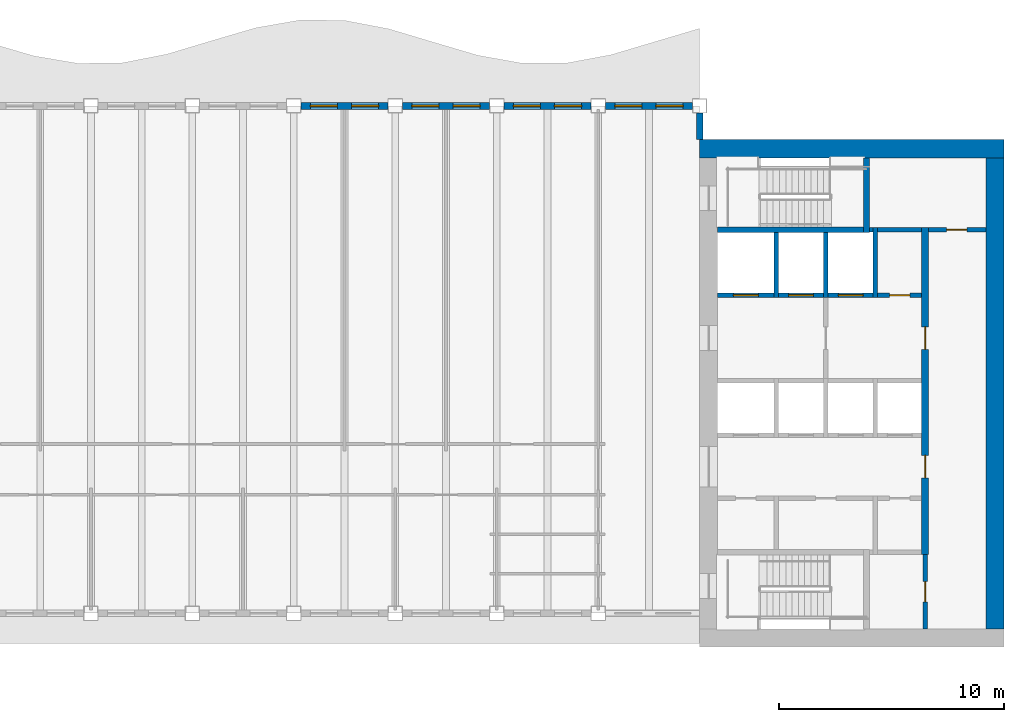
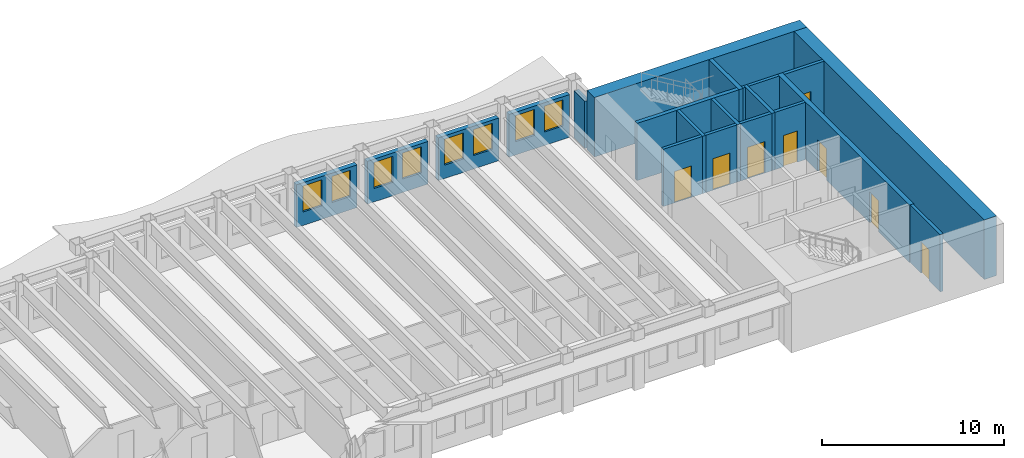
# One storey, part 6 of 12: 21 walls, 8 doors, 8 windows, 16 openings.
"""IFC4 building model written with IfcOpenShell, lengths in metres."""

import ifcopenshell
import ifcopenshell.guid

model = None  # the IFC model being written
_history = None  # IfcOwnerHistory: only IFC2X3 demands one
_inside = {}  # id of a spatial element -> (the spatial element, [elements in it])
_under = {}  # id of a project, library or spatial element -> (it, [spatial elements below it])
_declared = {}  # id of a project -> (the project, [libraries it declares])
_typed = {}  # id of a type object -> (the type object, [elements of that type])
_made_of = {}  # id of a material, layer set ... -> (it, [elements and type objects made of it])


def new_model(schema):
    """Start an empty IFC model of exactly this schema.

    Asked for "IFC4X3", IfcOpenShell would pick the latest addendum, in which some entities
    have other attributes; the version numbers below select the first issue.
    IFC2X3 requires an IfcOwnerHistory on every rooted entity: one is made here for all.
    """
    global model, _history
    if schema == "IFC4X3":
        model = ifcopenshell.file(schema_version=(4, 3, 0, 0))
    else:
        model = ifcopenshell.file(schema=schema)
    _inside.clear()
    _under.clear()
    _declared.clear()
    _typed.clear()
    _made_of.clear()
    _history = None
    if model.schema == "IFC2X3":
        org = make("IfcOrganization", Name="unknown")
        user = make(
            "IfcPersonAndOrganization",
            ThePerson=make("IfcPerson", FamilyName="unknown"),
            TheOrganization=org,
        )
        app = make(
            "IfcApplication",
            ApplicationDeveloper=org,
            Version="unknown",
            ApplicationFullName="unknown",
            ApplicationIdentifier="unknown",
        )
        _history = make(
            "IfcOwnerHistory",
            OwningUser=user,
            OwningApplication=app,
            ChangeAction="ADDED",
            CreationDate=0,
        )
    return model


def make(cls, **values):
    """One entity of the class cls with the attributes given. An attribute that is None is left unset."""
    return model.create_entity(
        cls, **{name: value for name, value in values.items() if value is not None}
    )


def rooted(cls, **values):
    """An entity with a GlobalId (a new one), such as an element, a storey or a relation."""
    return make(cls, GlobalId=ifcopenshell.guid.new(), OwnerHistory=_history, **values)


def si_unit(unit_type, name, prefix=None):
    """IfcSIUnit, for example si_unit("LENGTHUNIT", "METRE", prefix="MILLI")."""
    return make("IfcSIUnit", UnitType=unit_type, Prefix=prefix, Name=name)


def assignment(units):
    """IfcUnitAssignment: the units of a project."""
    return None if units is None else make("IfcUnitAssignment", Units=units)


def point(xyz):
    """IfcCartesianPoint."""
    return None if xyz is None else make("IfcCartesianPoint", Coordinates=xyz)


def direction(xyz):
    """IfcDirection."""
    return None if xyz is None else make("IfcDirection", DirectionRatios=xyz)


def frame(location, z_axis=None, x_axis=None):
    """IfcAxis2Placement3D, a coordinate frame: its origin and axes. An axis left out is left unset."""
    return make(
        "IfcAxis2Placement3D",
        Location=point(location),
        Axis=direction(z_axis),
        RefDirection=direction(x_axis),
    )


def frame_2d(location, x_axis=None):
    """IfcAxis2Placement2D, a coordinate frame in the plane: its origin and x axis."""
    return make(
        "IfcAxis2Placement2D", Location=point(location), RefDirection=direction(x_axis)
    )


def origin():
    """The frame at (0, 0, 0) with its axes left unset."""
    return frame((0.0, 0.0, 0.0))


def place(relative_to, where):
    """IfcLocalPlacement: puts the frame where relative to a parent placement (None: the world)."""
    return make(
        "IfcLocalPlacement", PlacementRelTo=relative_to, RelativePlacement=where
    )


def context(
    kind, dimensions, precision=None, world=None, true_north=None, identifier=None
):
    """IfcGeometricRepresentationContext, for example the 3D "Model" context."""
    return make(
        "IfcGeometricRepresentationContext",
        ContextIdentifier=identifier,
        ContextType=kind,
        CoordinateSpaceDimension=dimensions,
        Precision=precision,
        WorldCoordinateSystem=world,
        TrueNorth=true_north,
    )


def subcontext(parent, identifier, kind, view, scale=None):
    """IfcGeometricRepresentationSubContext, for example "Body" below "Model"."""
    return make(
        "IfcGeometricRepresentationSubContext",
        ContextIdentifier=identifier,
        ContextType=kind,
        ParentContext=parent,
        TargetScale=scale,
        TargetView=view,
    )


def project(units=None, contexts=None):
    """IfcProject with its units and contexts."""
    return rooted(
        "IfcProject",
        Name="project",
        RepresentationContexts=contexts,
        UnitsInContext=assignment(units),
    )


def spatial(cls, under=None, at=None, **own):
    """A site, building, storey or space (cls), placed at a placement, below another one or the project."""
    s = rooted(cls, ObjectPlacement=at, **own)
    if under is not None:
        _under.setdefault(under.id(), (under, []))[1].append(s)
    return s


def profile(cls, at=None, kind="AREA", **sizes):
    """A parametric profile (cls). Its sizes go by their IFC names, for example OverallWidth=200.0."""
    return make(cls, ProfileType=kind, Position=at, **sizes)


def rectangle(**sizes):
    """IfcRectangleProfileDef."""
    return profile("IfcRectangleProfileDef", **sizes)


def extrude(swept, where, along, depth):
    """IfcExtrudedAreaSolid: the profile swept, set in the frame where, extruded along a direction by depth."""
    return make(
        "IfcExtrudedAreaSolid",
        SweptArea=swept,
        Position=where,
        ExtrudedDirection=direction(along),
        Depth=depth,
    )


def shape(context_of_items, identifier, shape_type, items):
    """IfcShapeRepresentation: the items that make up one representation, for example the "Body"."""
    return make(
        "IfcShapeRepresentation",
        ContextOfItems=context_of_items,
        RepresentationIdentifier=identifier,
        RepresentationType=shape_type,
        Items=items,
    )


def material(Name=None, Category=None):
    """IfcMaterial."""
    return make("IfcMaterial", Name=Name, Category=Category)


def layer(
    of_material, thickness, ventilated=None, Name=None, Category=None, Priority=None
):
    """IfcMaterialLayer: one layer of a wall or slab, of a material (None: an air gap)."""
    return make(
        "IfcMaterialLayer",
        Material=of_material,
        LayerThickness=thickness,
        IsVentilated=ventilated,
        Name=Name,
        Category=Category,
        Priority=Priority,
    )


def layer_set(layers, Name=None):
    """IfcMaterialLayerSet."""
    return make("IfcMaterialLayerSet", MaterialLayers=layers, LayerSetName=Name)


def made_of(thing, what):
    """Note that an element or type object is made of a material, layer set ...; save() writes the relation."""
    if what is not None:
        _made_of.setdefault(what.id(), (what, []))[1].append(thing)
    return thing


def type_object(cls, material=None, **own):
    """A type object (cls), such as IfcWallType, which elements share."""
    return made_of(rooted(cls, **own), material)


def element(
    cls,
    number,
    at=None,
    inside=None,
    cuts=None,
    type_object=None,
    material=None,
    context=None,
    identifier="Body",
    shape_type=None,
    held_by="IfcProductDefinitionShape",
    body=None,
    shapes=None,
    **own,
):
    """One element of the class cls, such as IfcWall. Its Tag is "e" and its number.

    at: its placement. inside: the storey or other place that contains it. cuts: it is an
    opening in that element (IfcRelVoidsElement). A single representation is given by context,
    identifier, shape_type and body (its items); several are given by shapes. held_by: the class
    of the entity that holds the representations. save() writes the other relations.
    """
    e = rooted(cls, Tag="e%d" % number, ObjectPlacement=at, **own)
    if body is not None:
        shapes = [shape(context, identifier, shape_type, body)]
    if shapes is not None:
        e.Representation = make(held_by, Representations=shapes)
    if inside is not None:
        _inside.setdefault(inside.id(), (inside, []))[1].append(e)
    if cuts is not None:
        rooted(
            "IfcRelVoidsElement", RelatingBuildingElement=cuts, RelatedOpeningElement=e
        )
    if type_object is not None:
        _typed.setdefault(type_object.id(), (type_object, []))[1].append(e)
    return made_of(e, material)


def fill(opening, filler):
    """IfcRelFillsElement: the door or window that sits in an opening."""
    return rooted(
        "IfcRelFillsElement",
        RelatingOpeningElement=opening,
        RelatedBuildingElement=filler,
    )


def aggregate(whole, parts):
    """IfcRelAggregates: a whole, such as a stair, and the parts it consists of."""
    return rooted("IfcRelAggregates", RelatingObject=whole, RelatedObjects=parts)


def save(model, path):
    """Write the relations noted so far, then the file.

    IfcRelAggregates (storeys below a building ...), IfcRelContainedInSpatialStructure (elements
    in a storey), IfcRelDefinesByType, IfcRelAssociatesMaterial and IfcRelDeclares: one each for
    every whole, place, type object, material and project.
    """
    for whole, parts in _under.values():
        aggregate(whole, parts)
    for where, things in _inside.values():
        rooted(
            "IfcRelContainedInSpatialStructure",
            RelatedElements=things,
            RelatingStructure=where,
        )
    for kind, things in _typed.values():
        rooted("IfcRelDefinesByType", RelatedObjects=things, RelatingType=kind)
    for what, things in _made_of.values():
        rooted("IfcRelAssociatesMaterial", RelatedObjects=things, RelatingMaterial=what)
    for by, libraries in _declared.values():
        rooted("IfcRelDeclares", RelatingContext=by, RelatedDefinitions=libraries)
    model.write(path)


model = new_model("IFC4")

# Units and contexts
model_context = context("Model", 3, precision=1e-05, world=origin(), true_north=direction((0.0, 1.0)))
body_context = subcontext(model_context, "Body", "Model", "MODEL_VIEW")
ifc_project = project(units=[si_unit("LENGTHUNIT", "METRE"), si_unit("AREAUNIT", "SQUARE_METRE"), si_unit("VOLUMEUNIT", "CUBIC_METRE"), si_unit("PLANEANGLEUNIT", "RADIAN"), si_unit("MASSUNIT", "GRAM", prefix="KILO")], contexts=[model_context])

# Site, building, storey
site_placement = place(None, origin())
site = spatial("IfcSite", under=ifc_project, at=site_placement, CompositionType="ELEMENT")
building_placement = place(site_placement, origin())
building = spatial("IfcBuilding", under=site, at=building_placement, Name="Sennacour Bend Tower", CompositionType="ELEMENT")
storey_placement = place(building_placement, frame((0.0, 0.0, 269.0)))
storey = spatial("IfcBuildingStorey", under=building, at=storey_placement, Name="L62", CompositionType="ELEMENT", Elevation=269.0)

# Walls
ifc_material_1 = material(Name="Concrete C50/60", Category="concrete")
ifc_layer_1 = layer(ifc_material_1, 0.800048828125, Name="Concrete C50/60", Category="concrete")
ifc_layer_set_1 = layer_set([ifc_layer_1], Name="Concrete C50/60")
wall_type_1 = type_object("IfcWallType", Name="Core wall 800 C50/60", PredefinedType="SHEAR", material=ifc_layer_set_1)
wall_1_placement = place(storey_placement, frame((54.0, 22.10009765625, -0.14990234375), z_axis=(0.0, 0.0, 1.0), x_axis=(1.0, 0.0, 0.0)))
element("IfcWall", 1, at=wall_1_placement, inside=storey, type_object=wall_type_1, Name="Core A wall L62 N", PredefinedType="SHEAR", context=body_context, shape_type="SweptSolid", body=[
    extrude(rectangle(XDim=13.5, YDim=0.800048828125, at=frame_2d((6.75, 0.0))), origin(), (0.0, 0.0, 1.0), 4.0),
])
wall_2_placement = place(storey_placement, frame((67.10009765625, 0.800048828125, -0.14990234375), z_axis=(0.0, 0.0, 1.0), x_axis=(0.0, 1.0, 0.0)))
element("IfcWall", 2, at=wall_2_placement, inside=storey, type_object=wall_type_1, Name="Core A wall L62 E", PredefinedType="SHEAR", context=body_context, shape_type="SweptSolid", body=[
    extrude(rectangle(XDim=20.89990234375, YDim=0.800048828125, at=frame_2d((10.449951171875, 0.0))), origin(), (0.0, 0.0, 1.0), 4.0),
])

# Wall, opening, door
ifc_material_2 = material(Name="Fire-rated plasterboard partition on steel studs", Category="steel")
ifc_layer_2 = layer(ifc_material_2, 0.199951171875, Name="Fire-rated plasterboard partition on steel studs", Category="steel")
ifc_layer_set_2 = layer_set([ifc_layer_2], Name="Fire-rated plasterboard partition on steel studs")
wall_type_2 = type_object("IfcWallType", Name="Rated partition 200", PredefinedType="PARTITIONING", material=ifc_layer_set_2)
wall_3_placement = place(storey_placement, frame((64.0, 0.800048828125, 0.0), z_axis=(0.0, 0.0, 1.0), x_axis=(0.0, 1.0, 0.0)))
wall_3 = element("IfcWall", 3, at=wall_3_placement, inside=storey, type_object=wall_type_2, Name="P-L62-W031", PredefinedType="PARTITIONING", context=body_context, shape_type="SweptSolid", body=[
    extrude(rectangle(XDim=3.300048828125, YDim=0.199951171875, at=frame_2d((1.64990234375, 0.0))), origin(), (0.0, 0.0, 1.0), 3.85009765625),
])
opening_1_placement = place(wall_3_placement, frame((1.199951171875, 0.0, 0.0)))
opening_1 = element("IfcOpeningElement", 4, at=opening_1_placement, cuts=wall_3, Name="Opening SV", PredefinedType="OPENING", context=body_context, shape_type="SweptSolid", body=[
    extrude(rectangle(XDim=0.89990234375, YDim=2.10009765625, at=frame_2d((0.449951171875, 1.050048828125))), frame((0.0, 0.10986328125, 0.0), z_axis=(0.0, -1.0, 0.0), x_axis=(1.0, 0.0, 0.0)), (0.0, 0.0, 1.0), 0.219970703125),
])
ifc_material_3 = material(Name="Painted steel", Category="steel")
door_type_1 = type_object("IfcDoorType", Name="DR-SERVICE-900", OperationType="NOTDEFINED", PredefinedType="DOOR", material=ifc_material_3)
door_1_placement = place(opening_1_placement, origin())
door_1 = element("IfcDoor", 5, at=door_1_placement, inside=storey, type_object=door_type_1, Name="Door", OperationType="SINGLE_SWING_LEFT", OverallHeight=2.10009765625, OverallWidth=0.89990234375, PredefinedType="DOOR", context=body_context, shape_type="SweptSolid", body=[
    extrude(rectangle(XDim=0.89990234375, YDim=2.10009765625, at=frame_2d((0.449951171875, 1.050048828125))), frame((0.0, 0.02490234375, 0.0), z_axis=(0.0, -1.0, 0.0), x_axis=(1.0, 0.0, 0.0)), (0.0, 0.0, 1.0), 0.050048828125),
])
fill(opening_1, door_1)

wall_4_placement = place(storey_placement, frame((61.89990234375, 15.60009765625, 0.0), z_axis=(0.0, 0.0, 1.0), x_axis=(1.0, 0.0, 0.0)))
wall_4 = element("IfcWall", 6, at=wall_4_placement, inside=storey, type_object=wall_type_2, Name="P-L62-W048", PredefinedType="PARTITIONING", context=body_context, shape_type="SweptSolid", body=[
    extrude(rectangle(XDim=1.9501953125, YDim=0.199951171875, at=frame_2d((0.97509765625, 0.0))), origin(), (0.0, 0.0, 1.0), 3.85009765625),
])
opening_2_placement = place(wall_4_placement, frame((0.525146484375, 0.0, 0.0)))
opening_2 = element("IfcOpeningElement", 7, at=opening_2_placement, cuts=wall_4, Name="Opening SV", PredefinedType="OPENING", context=body_context, shape_type="SweptSolid", body=[
    extrude(rectangle(XDim=0.89990234375, YDim=2.10009765625, at=frame_2d((0.449951171875, 1.050048828125))), frame((0.0, 0.10986328125, 0.0), z_axis=(0.0, -1.0, 0.0), x_axis=(1.0, 0.0, 0.0)), (0.0, 0.0, 1.0), 0.219970703125),
])
door_2_placement = place(opening_2_placement, origin())
door_2 = element("IfcDoor", 8, at=door_2_placement, inside=storey, type_object=door_type_1, Name="Door", OperationType="SINGLE_SWING_RIGHT", OverallHeight=2.10009765625, OverallWidth=0.89990234375, PredefinedType="DOOR", context=body_context, shape_type="SweptSolid", body=[
    extrude(rectangle(XDim=0.89990234375, YDim=2.10009765625, at=frame_2d((0.449951171875, 1.050048828125))), frame((0.0, 0.02490234375, 0.0), z_axis=(0.0, -1.0, 0.0), x_axis=(1.0, 0.0, 0.0)), (0.0, 0.0, 1.0), 0.050048828125),
])
fill(opening_2, door_2)

# Wall
wall_5_placement = place(storey_placement, frame((61.89990234375, 18.5, 0.0), z_axis=(0.0, 0.0, 1.0), x_axis=(1.0, 0.0, 0.0)))
element("IfcWall", 9, at=wall_5_placement, inside=storey, type_object=wall_type_2, Name="P-L62-W051a", PredefinedType="PARTITIONING", context=body_context, shape_type="SweptSolid", body=[
    extrude(rectangle(XDim=1.9501953125, YDim=0.199951171875, at=frame_2d((0.97509765625, 0.0))), origin(), (0.0, 0.0, 1.0), 3.85009765625),
])

# Wall, opening, door
wall_6_placement = place(storey_placement, frame((64.14990234375, 18.5, 0.0), z_axis=(0.0, 0.0, 1.0), x_axis=(1.0, 0.0, 0.0)))
wall_6 = element("IfcWall", 10, at=wall_6_placement, inside=storey, type_object=wall_type_2, Name="P-L62-W051b", PredefinedType="PARTITIONING", context=body_context, shape_type="SweptSolid", body=[
    extrude(rectangle(XDim=2.550048828125, YDim=0.199951171875, at=frame_2d((1.27490234375, 0.0))), origin(), (0.0, 0.0, 1.0), 3.85009765625),
])
opening_3_placement = place(wall_6_placement, frame((0.800048828125, 0.0, 0.0)))
opening_3 = element("IfcOpeningElement", 11, at=opening_3_placement, cuts=wall_6, Name="Opening SV", PredefinedType="OPENING", context=body_context, shape_type="SweptSolid", body=[
    extrude(rectangle(XDim=0.89990234375, YDim=2.10009765625, at=frame_2d((0.449951171875, 1.050048828125))), frame((0.0, 0.10986328125, 0.0), z_axis=(0.0, -1.0, 0.0), x_axis=(1.0, 0.0, 0.0)), (0.0, 0.0, 1.0), 0.219970703125),
])
door_3_placement = place(opening_3_placement, origin())
door_3 = element("IfcDoor", 12, at=door_3_placement, inside=storey, type_object=door_type_1, Name="Door", OperationType="SINGLE_SWING_LEFT", OverallHeight=2.10009765625, OverallWidth=0.89990234375, PredefinedType="DOOR", context=body_context, shape_type="SweptSolid", body=[
    extrude(rectangle(XDim=0.89990234375, YDim=2.10009765625, at=frame_2d((0.449951171875, 1.050048828125))), frame((0.0, 0.02490234375, 0.0), z_axis=(0.0, -1.0, 0.0), x_axis=(1.0, 0.0, 0.0)), (0.0, 0.0, 1.0), 0.050048828125),
])
fill(opening_3, door_3)

# Wall
ifc_material_4 = material(Name="Warm limestone cladding", Category="masonry")
ifc_layer_3 = layer(ifc_material_4, 0.050048828125, Name="Warm limestone cladding", Category="masonry")
ifc_material_5 = material(Name="Precast concrete C40/50", Category="concrete")
ifc_layer_4 = layer(ifc_material_5, 0.25, Name="Precast concrete C40/50", Category="concrete")
ifc_layer_set_3 = layer_set([ifc_layer_3, ifc_layer_4], Name="Precast concrete C40/50 with limestone cladding")
wall_type_3 = type_object("IfcWallType", Name="STONE-CLAD PRECAST SPANDREL 300", PredefinedType="STANDARD", material=ifc_layer_set_3)
wall_7_placement = place(storey_placement, frame((54.0, 22.5, 0.0), z_axis=(0.0, 0.0, 1.0), x_axis=(0.0, 1.0, 0.0)))
element("IfcWall", 13, at=wall_7_placement, inside=storey, type_object=wall_type_3, Name="Stone spandrel and pier wall L62 06.00", PredefinedType="STANDARD", context=body_context, shape_type="SweptSolid", body=[
    extrude(rectangle(XDim=1.175048828125, YDim=0.300048828125, at=frame_2d((0.58740234375, 0.0))), origin(), (0.0, 0.0, 1.0), 3.162109375),
])

# Wall, openings, windows
wall_8_placement = place(storey_placement, frame((53.675048828125, 24.0, 0.0), z_axis=(0.0, 0.0, 1.0), x_axis=(-1.0, 0.0, 0.0)))
wall_8 = element("IfcWall", 14, at=wall_8_placement, inside=storey, type_object=wall_type_3, Name="Stone spandrel and pier wall L62 07.00", PredefinedType="STANDARD", context=body_context, shape_type="SweptSolid", body=[
    extrude(rectangle(XDim=3.85009765625, YDim=0.300048828125, at=frame_2d((1.925048828125, 0.0))), origin(), (0.0, 0.0, 1.0), 2.8701171875),
])
opening_4_placement = place(wall_8_placement, frame((0.41259765625, 0.0, 0.89990234375)))
opening_4 = element("IfcOpeningElement", 15, at=opening_4_placement, cuts=wall_8, Name="Opening W16", PredefinedType="OPENING", context=body_context, shape_type="SweptSolid", body=[
    extrude(rectangle(XDim=1.199951171875, YDim=1.75, at=frame_2d((0.60009765625, 0.875))), frame((0.0, 0.16015625, 0.0), z_axis=(0.0, -1.0, 0.0), x_axis=(1.0, 0.0, 0.0)), (0.0, 0.0, 1.0), 0.320068359375),
])
opening_5_placement = place(wall_8_placement, frame((2.237548828125, 0.0, 0.89990234375)))
opening_5 = element("IfcOpeningElement", 16, at=opening_5_placement, cuts=wall_8, Name="Opening W16", PredefinedType="OPENING", context=body_context, shape_type="SweptSolid", body=[
    extrude(rectangle(XDim=1.199951171875, YDim=1.75, at=frame_2d((0.60009765625, 0.875))), frame((0.0, 0.16015625, 0.0), z_axis=(0.0, -1.0, 0.0), x_axis=(1.0, 0.0, 0.0)), (0.0, 0.0, 1.0), 0.320068359375),
])
ifc_material_6 = material(Name="Clear low-emissivity glass", Category="glass")
window_type = type_object("IfcWindowType", Name="WIN-RIBBON-1200x1750", PartitioningType="SINGLE_PANEL", PredefinedType="WINDOW", material=ifc_material_6)
window_1_placement = place(opening_4_placement, origin())
window_1 = element("IfcWindow", 17, at=window_1_placement, inside=storey, type_object=window_type, Name="Ribbon window L62 07.00.0", OverallHeight=1.75, OverallWidth=1.199951171875, PartitioningType="SINGLE_PANEL", PredefinedType="WINDOW", context=body_context, shape_type="SweptSolid", body=[
    extrude(rectangle(XDim=1.199951171875, YDim=1.75, at=frame_2d((0.60009765625, 0.875))), frame((0.0, 0.030029296875, 0.0), z_axis=(0.0, -1.0, 0.0), x_axis=(1.0, 0.0, 0.0)), (0.0, 0.0, 1.0), 0.06005859375),
])
fill(opening_4, window_1)
window_2_placement = place(opening_5_placement, origin())
window_2 = element("IfcWindow", 18, at=window_2_placement, inside=storey, type_object=window_type, Name="Ribbon window L62 07.00.1", OverallHeight=1.75, OverallWidth=1.199951171875, PartitioningType="SINGLE_PANEL", PredefinedType="WINDOW", context=body_context, shape_type="SweptSolid", body=[
    extrude(rectangle(XDim=1.199951171875, YDim=1.75, at=frame_2d((0.60009765625, 0.875))), frame((0.0, 0.030029296875, 0.0), z_axis=(0.0, -1.0, 0.0), x_axis=(1.0, 0.0, 0.0)), (0.0, 0.0, 1.0), 0.06005859375),
])
fill(opening_5, window_2)

wall_9_placement = place(storey_placement, frame((49.175048828125, 24.0, 0.0), z_axis=(0.0, 0.0, 1.0), x_axis=(-1.0, 0.0, 0.0)))
wall_9 = element("IfcWall", 19, at=wall_9_placement, inside=storey, type_object=wall_type_3, Name="Stone spandrel and pier wall L62 07.01", PredefinedType="STANDARD", context=body_context, shape_type="SweptSolid", body=[
    extrude(rectangle(XDim=3.85009765625, YDim=0.300048828125, at=frame_2d((1.925048828125, 0.0))), origin(), (0.0, 0.0, 1.0), 2.8701171875),
])
opening_6_placement = place(wall_9_placement, frame((0.41259765625, 0.0, 0.89990234375)))
opening_6 = element("IfcOpeningElement", 20, at=opening_6_placement, cuts=wall_9, Name="Opening W16", PredefinedType="OPENING", context=body_context, shape_type="SweptSolid", body=[
    extrude(rectangle(XDim=1.199951171875, YDim=1.75, at=frame_2d((0.60009765625, 0.875))), frame((0.0, 0.16015625, 0.0), z_axis=(0.0, -1.0, 0.0), x_axis=(1.0, 0.0, 0.0)), (0.0, 0.0, 1.0), 0.320068359375),
])
opening_7_placement = place(wall_9_placement, frame((2.237548828125, 0.0, 0.89990234375)))
opening_7 = element("IfcOpeningElement", 21, at=opening_7_placement, cuts=wall_9, Name="Opening W16", PredefinedType="OPENING", context=body_context, shape_type="SweptSolid", body=[
    extrude(rectangle(XDim=1.199951171875, YDim=1.75, at=frame_2d((0.60009765625, 0.875))), frame((0.0, 0.16015625, 0.0), z_axis=(0.0, -1.0, 0.0), x_axis=(1.0, 0.0, 0.0)), (0.0, 0.0, 1.0), 0.320068359375),
])
window_3_placement = place(opening_6_placement, origin())
window_3 = element("IfcWindow", 22, at=window_3_placement, inside=storey, type_object=window_type, Name="Ribbon window L62 07.01.0", OverallHeight=1.75, OverallWidth=1.199951171875, PartitioningType="SINGLE_PANEL", PredefinedType="WINDOW", context=body_context, shape_type="SweptSolid", body=[
    extrude(rectangle(XDim=1.199951171875, YDim=1.75, at=frame_2d((0.60009765625, 0.875))), frame((0.0, 0.030029296875, 0.0), z_axis=(0.0, -1.0, 0.0), x_axis=(1.0, 0.0, 0.0)), (0.0, 0.0, 1.0), 0.06005859375),
])
fill(opening_6, window_3)
window_4_placement = place(opening_7_placement, origin())
window_4 = element("IfcWindow", 23, at=window_4_placement, inside=storey, type_object=window_type, Name="Ribbon window L62 07.01.1", OverallHeight=1.75, OverallWidth=1.199951171875, PartitioningType="SINGLE_PANEL", PredefinedType="WINDOW", context=body_context, shape_type="SweptSolid", body=[
    extrude(rectangle(XDim=1.199951171875, YDim=1.75, at=frame_2d((0.60009765625, 0.875))), frame((0.0, 0.030029296875, 0.0), z_axis=(0.0, -1.0, 0.0), x_axis=(1.0, 0.0, 0.0)), (0.0, 0.0, 1.0), 0.06005859375),
])
fill(opening_7, window_4)

wall_10_placement = place(storey_placement, frame((44.675048828125, 24.0, 0.0), z_axis=(0.0, 0.0, 1.0), x_axis=(-1.0, 0.0, 0.0)))
wall_10 = element("IfcWall", 24, at=wall_10_placement, inside=storey, type_object=wall_type_3, Name="Stone spandrel and pier wall L62 07.02", PredefinedType="STANDARD", context=body_context, shape_type="SweptSolid", body=[
    extrude(rectangle(XDim=3.85009765625, YDim=0.300048828125, at=frame_2d((1.925048828125, 0.0))), origin(), (0.0, 0.0, 1.0), 2.8701171875),
])
opening_8_placement = place(wall_10_placement, frame((0.41259765625, 0.0, 0.89990234375)))
opening_8 = element("IfcOpeningElement", 25, at=opening_8_placement, cuts=wall_10, Name="Opening W16", PredefinedType="OPENING", context=body_context, shape_type="SweptSolid", body=[
    extrude(rectangle(XDim=1.199951171875, YDim=1.75, at=frame_2d((0.60009765625, 0.875))), frame((0.0, 0.16015625, 0.0), z_axis=(0.0, -1.0, 0.0), x_axis=(1.0, 0.0, 0.0)), (0.0, 0.0, 1.0), 0.320068359375),
])
opening_9_placement = place(wall_10_placement, frame((2.237548828125, 0.0, 0.89990234375)))
opening_9 = element("IfcOpeningElement", 26, at=opening_9_placement, cuts=wall_10, Name="Opening W16", PredefinedType="OPENING", context=body_context, shape_type="SweptSolid", body=[
    extrude(rectangle(XDim=1.199951171875, YDim=1.75, at=frame_2d((0.60009765625, 0.875))), frame((0.0, 0.16015625, 0.0), z_axis=(0.0, -1.0, 0.0), x_axis=(1.0, 0.0, 0.0)), (0.0, 0.0, 1.0), 0.320068359375),
])
window_5_placement = place(opening_8_placement, origin())
window_5 = element("IfcWindow", 27, at=window_5_placement, inside=storey, type_object=window_type, Name="Ribbon window L62 07.02.0", OverallHeight=1.75, OverallWidth=1.199951171875, PartitioningType="SINGLE_PANEL", PredefinedType="WINDOW", context=body_context, shape_type="SweptSolid", body=[
    extrude(rectangle(XDim=1.199951171875, YDim=1.75, at=frame_2d((0.60009765625, 0.875))), frame((0.0, 0.030029296875, 0.0), z_axis=(0.0, -1.0, 0.0), x_axis=(1.0, 0.0, 0.0)), (0.0, 0.0, 1.0), 0.06005859375),
])
fill(opening_8, window_5)
window_6_placement = place(opening_9_placement, origin())
window_6 = element("IfcWindow", 28, at=window_6_placement, inside=storey, type_object=window_type, Name="Ribbon window L62 07.02.1", OverallHeight=1.75, OverallWidth=1.199951171875, PartitioningType="SINGLE_PANEL", PredefinedType="WINDOW", context=body_context, shape_type="SweptSolid", body=[
    extrude(rectangle(XDim=1.199951171875, YDim=1.75, at=frame_2d((0.60009765625, 0.875))), frame((0.0, 0.030029296875, 0.0), z_axis=(0.0, -1.0, 0.0), x_axis=(1.0, 0.0, 0.0)), (0.0, 0.0, 1.0), 0.06005859375),
])
fill(opening_9, window_6)

wall_11_placement = place(storey_placement, frame((40.175048828125, 24.0, 0.0), z_axis=(0.0, 0.0, 1.0), x_axis=(-1.0, 0.0, 0.0)))
wall_11 = element("IfcWall", 29, at=wall_11_placement, inside=storey, type_object=wall_type_3, Name="Stone spandrel and pier wall L62 07.03", PredefinedType="STANDARD", context=body_context, shape_type="SweptSolid", body=[
    extrude(rectangle(XDim=3.85009765625, YDim=0.300048828125, at=frame_2d((1.925048828125, 0.0))), origin(), (0.0, 0.0, 1.0), 2.8701171875),
])
opening_10_placement = place(wall_11_placement, frame((0.41259765625, 0.0, 0.89990234375)))
opening_10 = element("IfcOpeningElement", 30, at=opening_10_placement, cuts=wall_11, Name="Opening W16", PredefinedType="OPENING", context=body_context, shape_type="SweptSolid", body=[
    extrude(rectangle(XDim=1.199951171875, YDim=1.75, at=frame_2d((0.60009765625, 0.875))), frame((0.0, 0.16015625, 0.0), z_axis=(0.0, -1.0, 0.0), x_axis=(1.0, 0.0, 0.0)), (0.0, 0.0, 1.0), 0.320068359375),
])
opening_11_placement = place(wall_11_placement, frame((2.237548828125, 0.0, 0.89990234375)))
opening_11 = element("IfcOpeningElement", 31, at=opening_11_placement, cuts=wall_11, Name="Opening W16", PredefinedType="OPENING", context=body_context, shape_type="SweptSolid", body=[
    extrude(rectangle(XDim=1.199951171875, YDim=1.75, at=frame_2d((0.60009765625, 0.875))), frame((0.0, 0.16015625, 0.0), z_axis=(0.0, -1.0, 0.0), x_axis=(1.0, 0.0, 0.0)), (0.0, 0.0, 1.0), 0.320068359375),
])
window_7_placement = place(opening_10_placement, origin())
window_7 = element("IfcWindow", 32, at=window_7_placement, inside=storey, type_object=window_type, Name="Ribbon window L62 07.03.0", OverallHeight=1.75, OverallWidth=1.199951171875, PartitioningType="SINGLE_PANEL", PredefinedType="WINDOW", context=body_context, shape_type="SweptSolid", body=[
    extrude(rectangle(XDim=1.199951171875, YDim=1.75, at=frame_2d((0.60009765625, 0.875))), frame((0.0, 0.030029296875, 0.0), z_axis=(0.0, -1.0, 0.0), x_axis=(1.0, 0.0, 0.0)), (0.0, 0.0, 1.0), 0.06005859375),
])
fill(opening_10, window_7)
window_8_placement = place(opening_11_placement, origin())
window_8 = element("IfcWindow", 33, at=window_8_placement, inside=storey, type_object=window_type, Name="Ribbon window L62 07.03.1", OverallHeight=1.75, OverallWidth=1.199951171875, PartitioningType="SINGLE_PANEL", PredefinedType="WINDOW", context=body_context, shape_type="SweptSolid", body=[
    extrude(rectangle(XDim=1.199951171875, YDim=1.75, at=frame_2d((0.60009765625, 0.875))), frame((0.0, 0.030029296875, 0.0), z_axis=(0.0, -1.0, 0.0), x_axis=(1.0, 0.0, 0.0)), (0.0, 0.0, 1.0), 0.06005859375),
])
fill(opening_11, window_8)

# Walls
ifc_layer_5 = layer(ifc_material_1, 0.199951171875, Name="Concrete C50/60", Category="concrete")
ifc_layer_set_4 = layer_set([ifc_layer_5], Name="Concrete C50/60")
wall_type_4 = type_object("IfcWallType", Name="Shaft wall 200", PredefinedType="SOLIDWALL", material=ifc_layer_set_4)
for number, where, z_axis, x_axis, name in (
    (34, (57.39990234375, 15.5, 0.0), (0.0, 0.0, 1.0), (0.0, 1.0, 0.0), "P-L62-W022"),
    (35, (59.60009765625, 15.5, 0.0), (0.0, 0.0, 1.0), (0.0, 1.0, 0.0), "P-L62-W025"),
):
    element("IfcWall", number, at=place(storey_placement, frame(where, z_axis=z_axis, x_axis=x_axis)), inside=storey, type_object=wall_type_4, Name=name, PredefinedType="SOLIDWALL", context=body_context, shape_type="SweptSolid", body=[
        extrude(rectangle(XDim=2.875, YDim=0.199951171875, at=frame_2d((1.4375, 0.0))), origin(), (0.0, 0.0, 1.0), 3.85009765625),
    ])
wall_12_placement = place(storey_placement, frame((61.800048828125, 15.5, 0.0), z_axis=(0.0, 0.0, 1.0), x_axis=(0.0, 1.0, 0.0)))
element("IfcWall", 36, at=wall_12_placement, inside=storey, type_object=wall_type_4, Name="P-L62-W030", PredefinedType="SOLIDWALL", context=body_context, shape_type="SweptSolid", body=[
    extrude(rectangle(XDim=3.10009765625, YDim=0.199951171875, at=frame_2d((1.550048828125, 0.0))), origin(), (0.0, 0.0, 1.0), 3.85009765625),
])

# Wall, opening, door
wall_13_placement = place(storey_placement, frame((54.800048828125, 15.60009765625, 0.0), z_axis=(0.0, 0.0, 1.0), x_axis=(1.0, 0.0, 0.0)))
wall_13 = element("IfcWall", 37, at=wall_13_placement, inside=storey, type_object=wall_type_4, Name="P-L62-W047a", PredefinedType="SOLIDWALL", context=body_context, shape_type="SweptSolid", body=[
    extrude(rectangle(XDim=2.5, YDim=0.199951171875, at=frame_2d((1.25, 0.0))), origin(), (0.0, 0.0, 1.0), 3.85009765625),
])
opening_12_placement = place(wall_13_placement, frame((0.699951171875, 0.0, 0.011962890625)))
opening_12 = element("IfcOpeningElement", 38, at=opening_12_placement, cuts=wall_13, Name="Opening FLD", PredefinedType="OPENING", context=body_context, shape_type="SweptSolid", body=[
    extrude(rectangle(XDim=1.10009765625, YDim=2.10009765625, at=frame_2d((0.550048828125, 1.050048828125))), frame((0.0, 0.10986328125, 0.0), z_axis=(0.0, -1.0, 0.0), x_axis=(1.0, 0.0, 0.0)), (0.0, 0.0, 1.0), 0.219970703125),
])
ifc_material_7 = material(Name="Stainless steel", Category="steel")
door_type_2 = type_object("IfcDoorType", Name="DR-FF-LANDING-1100", OperationType="NOTDEFINED", PredefinedType="DOOR", material=ifc_material_7)
door_4_placement = place(opening_12_placement, origin())
door_4 = element("IfcDoor", 39, at=door_4_placement, inside=storey, type_object=door_type_2, Name="Fire service lift landing door FA1", OperationType="SLIDING_TO_LEFT", OverallHeight=2.10009765625, OverallWidth=1.10009765625, PredefinedType="DOOR", context=body_context, shape_type="SweptSolid", body=[
    extrude(rectangle(XDim=1.10009765625, YDim=2.10009765625, at=frame_2d((0.550048828125, 1.050048828125))), frame((0.0, 0.02490234375, 0.0), z_axis=(0.0, -1.0, 0.0), x_axis=(1.0, 0.0, 0.0)), (0.0, 0.0, 1.0), 0.050048828125),
])
fill(opening_12, door_4)

wall_14_placement = place(storey_placement, frame((57.5, 15.60009765625, 0.0), z_axis=(0.0, 0.0, 1.0), x_axis=(1.0, 0.0, 0.0)))
wall_14 = element("IfcWall", 40, at=wall_14_placement, inside=storey, type_object=wall_type_4, Name="P-L62-W047b", PredefinedType="SOLIDWALL", context=body_context, shape_type="SweptSolid", body=[
    extrude(rectangle(XDim=2.0, YDim=0.199951171875, at=frame_2d((1.0, 0.0))), origin(), (0.0, 0.0, 1.0), 3.85009765625),
])
opening_13_placement = place(wall_14_placement, frame((0.449951171875, 0.0, 0.011962890625)))
opening_13 = element("IfcOpeningElement", 41, at=opening_13_placement, cuts=wall_14, Name="Opening FLD", PredefinedType="OPENING", context=body_context, shape_type="SweptSolid", body=[
    extrude(rectangle(XDim=1.10009765625, YDim=2.10009765625, at=frame_2d((0.550048828125, 1.050048828125))), frame((0.0, 0.10986328125, 0.0), z_axis=(0.0, -1.0, 0.0), x_axis=(1.0, 0.0, 0.0)), (0.0, 0.0, 1.0), 0.219970703125),
])
door_5_placement = place(opening_13_placement, origin())
door_5 = element("IfcDoor", 42, at=door_5_placement, inside=storey, type_object=door_type_2, Name="Fire service lift landing door FA2", OperationType="SLIDING_TO_RIGHT", OverallHeight=2.10009765625, OverallWidth=1.10009765625, PredefinedType="DOOR", context=body_context, shape_type="SweptSolid", body=[
    extrude(rectangle(XDim=1.10009765625, YDim=2.10009765625, at=frame_2d((0.550048828125, 1.050048828125))), frame((0.0, 0.02490234375, 0.0), z_axis=(0.0, -1.0, 0.0), x_axis=(1.0, 0.0, 0.0)), (0.0, 0.0, 1.0), 0.050048828125),
])
fill(opening_13, door_5)

wall_15_placement = place(storey_placement, frame((59.699951171875, 15.60009765625, 0.0), z_axis=(0.0, 0.0, 1.0), x_axis=(1.0, 0.0, 0.0)))
wall_15 = element("IfcWall", 43, at=wall_15_placement, inside=storey, type_object=wall_type_4, Name="P-L62-W047c", PredefinedType="SOLIDWALL", context=body_context, shape_type="SweptSolid", body=[
    extrude(rectangle(XDim=2.0, YDim=0.199951171875, at=frame_2d((1.0, 0.0))), origin(), (0.0, 0.0, 1.0), 3.85009765625),
])
opening_14_placement = place(wall_15_placement, frame((0.449951171875, 0.0, 0.011962890625)))
opening_14 = element("IfcOpeningElement", 44, at=opening_14_placement, cuts=wall_15, Name="Opening LD", PredefinedType="OPENING", context=body_context, shape_type="SweptSolid", body=[
    extrude(rectangle(XDim=1.10009765625, YDim=2.10009765625, at=frame_2d((0.550048828125, 1.050048828125))), frame((0.0, 0.10986328125, 0.0), z_axis=(0.0, -1.0, 0.0), x_axis=(1.0, 0.0, 0.0)), (0.0, 0.0, 1.0), 0.219970703125),
])
door_type_3 = type_object("IfcDoorType", Name="DR-LANDING-1100", OperationType="NOTDEFINED", PredefinedType="DOOR", material=ifc_material_7)
door_6_placement = place(opening_14_placement, origin())
door_6 = element("IfcDoor", 45, at=door_6_placement, inside=storey, type_object=door_type_3, Name="Lift landing door HA5", OperationType="SLIDING_TO_LEFT", OverallHeight=2.10009765625, OverallWidth=1.10009765625, PredefinedType="DOOR", context=body_context, shape_type="SweptSolid", body=[
    extrude(rectangle(XDim=1.10009765625, YDim=2.10009765625, at=frame_2d((0.550048828125, 1.050048828125))), frame((0.0, 0.02490234375, 0.0), z_axis=(0.0, -1.0, 0.0), x_axis=(1.0, 0.0, 0.0)), (0.0, 0.0, 1.0), 0.050048828125),
])
fill(opening_14, door_6)

# Wall
wall_16_placement = place(storey_placement, frame((61.52490234375, 18.5, 0.0), z_axis=(0.0, 0.0, 1.0), x_axis=(1.0, 0.0, 0.0)))
element("IfcWall", 46, at=wall_16_placement, inside=storey, type_object=wall_type_4, Name="P-L62-W050", PredefinedType="SOLIDWALL", context=body_context, shape_type="SweptSolid", body=[
    extrude(rectangle(XDim=0.175048828125, YDim=0.199951171875, at=frame_2d((0.08740234375, 0.0))), origin(), (0.0, 0.0, 1.0), 3.85009765625),
])

# Wall, openings, doors
ifc_material_8 = material(Name="Concrete C60/75", Category="concrete")
ifc_layer_6 = layer(ifc_material_8, 0.300048828125, Name="Concrete C60/75", Category="concrete")
ifc_layer_set_5 = layer_set([ifc_layer_6], Name="Concrete C60/75")
wall_type_5 = type_object("IfcWallType", Name="Spine wall 300", PredefinedType="SHEAR", material=ifc_layer_set_5)
wall_17_placement = place(storey_placement, frame((64.0, 4.10009765625, 0.0), z_axis=(0.0, 0.0, 1.0), x_axis=(0.0, 1.0, 0.0)))
wall_17 = element("IfcWall", 47, at=wall_17_placement, inside=storey, type_object=wall_type_5, Name="P-L62-W032", PredefinedType="SHEAR", context=body_context, shape_type="SweptSolid", body=[
    extrude(rectangle(XDim=14.5, YDim=0.300048828125, at=frame_2d((7.25, 0.0))), origin(), (0.0, 0.0, 1.0), 3.85009765625),
])
opening_15_placement = place(wall_17_placement, frame((3.39990234375, 0.0, 0.0)))
opening_15 = element("IfcOpeningElement", 48, at=opening_15_placement, cuts=wall_17, Name="Opening CD2", PredefinedType="OPENING", context=body_context, shape_type="SweptSolid", body=[
    extrude(rectangle(XDim=1.0, YDim=2.10009765625, at=frame_2d((0.5, 1.050048828125))), frame((0.0, 0.16015625, 0.0), z_axis=(0.0, -1.0, 0.0), x_axis=(1.0, 0.0, 0.0)), (0.0, 0.0, 1.0), 0.320068359375),
])
opening_16_placement = place(wall_17_placement, frame((9.099853515625, 0.0, 0.0)))
opening_16 = element("IfcOpeningElement", 49, at=opening_16_placement, cuts=wall_17, Name="Opening CD2", PredefinedType="OPENING", context=body_context, shape_type="SweptSolid", body=[
    extrude(rectangle(XDim=1.0, YDim=2.10009765625, at=frame_2d((0.5, 1.050048828125))), frame((0.0, 0.16015625, 0.0), z_axis=(0.0, -1.0, 0.0), x_axis=(1.0, 0.0, 0.0)), (0.0, 0.0, 1.0), 0.320068359375),
])
door_type_4 = type_object("IfcDoorType", Name="DR-LOBBY-1000", OperationType="NOTDEFINED", PredefinedType="DOOR", material=ifc_material_3)
door_7_placement = place(opening_15_placement, origin())
door_7 = element("IfcDoor", 50, at=door_7_placement, inside=storey, type_object=door_type_4, Name="Door", OperationType="SINGLE_SWING_LEFT", OverallHeight=2.10009765625, OverallWidth=1.0, PredefinedType="DOOR", context=body_context, shape_type="SweptSolid", body=[
    extrude(rectangle(XDim=1.0, YDim=2.10009765625, at=frame_2d((0.5, 1.050048828125))), frame((0.0, 0.02490234375, 0.0), z_axis=(0.0, -1.0, 0.0), x_axis=(1.0, 0.0, 0.0)), (0.0, 0.0, 1.0), 0.050048828125),
])
fill(opening_15, door_7)
door_8_placement = place(opening_16_placement, origin())
door_8 = element("IfcDoor", 51, at=door_8_placement, inside=storey, type_object=door_type_4, Name="Door", OperationType="SINGLE_SWING_RIGHT", OverallHeight=2.10009765625, OverallWidth=1.0, PredefinedType="DOOR", context=body_context, shape_type="SweptSolid", body=[
    extrude(rectangle(XDim=1.0, YDim=2.10009765625, at=frame_2d((0.5, 1.050048828125))), frame((0.0, 0.02490234375, 0.0), z_axis=(0.0, -1.0, 0.0), x_axis=(1.0, 0.0, 0.0)), (0.0, 0.0, 1.0), 0.050048828125),
])
fill(opening_16, door_8)

# Walls
ifc_layer_7 = layer(ifc_material_8, 0.25, Name="Concrete C60/75", Category="concrete")
ifc_layer_set_6 = layer_set([ifc_layer_7], Name="Concrete C60/75")
wall_type_6 = type_object("IfcWallType", Name="Stair wall 250", PredefinedType="SHEAR", material=ifc_layer_set_6)
wall_18_placement = place(storey_placement, frame((61.39990234375, 18.375, 0.0), z_axis=(0.0, 0.0, 1.0), x_axis=(0.0, 1.0, 0.0)))
element("IfcWall", 52, at=wall_18_placement, inside=storey, type_object=wall_type_6, Name="P-L62-W027", PredefinedType="SHEAR", context=body_context, shape_type="SweptSolid", body=[
    extrude(rectangle(XDim=3.324951171875, YDim=0.25, at=frame_2d((1.66259765625, 0.0))), origin(), (0.0, 0.0, 1.0), 3.85009765625),
])
wall_19_placement = place(storey_placement, frame((54.800048828125, 18.5, 0.0), z_axis=(0.0, 0.0, 1.0), x_axis=(1.0, 0.0, 0.0)))
element("IfcWall", 53, at=wall_19_placement, inside=storey, type_object=wall_type_6, Name="P-L62-W049", PredefinedType="SHEAR", context=body_context, shape_type="SweptSolid", body=[
    extrude(rectangle(XDim=6.474853515625, YDim=0.25, at=frame_2d((3.2373046875, 0.0))), origin(), (0.0, 0.0, 1.0), 3.85009765625),
])

save(model, "model.ifc")
